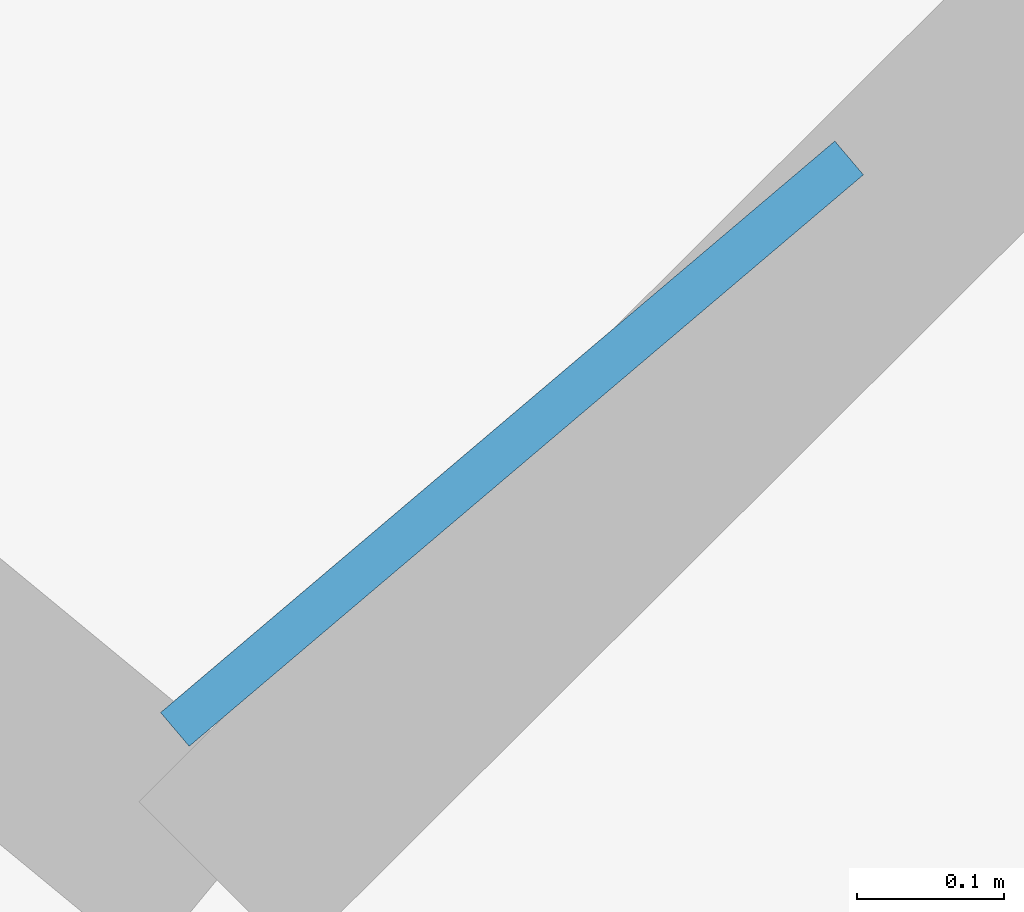
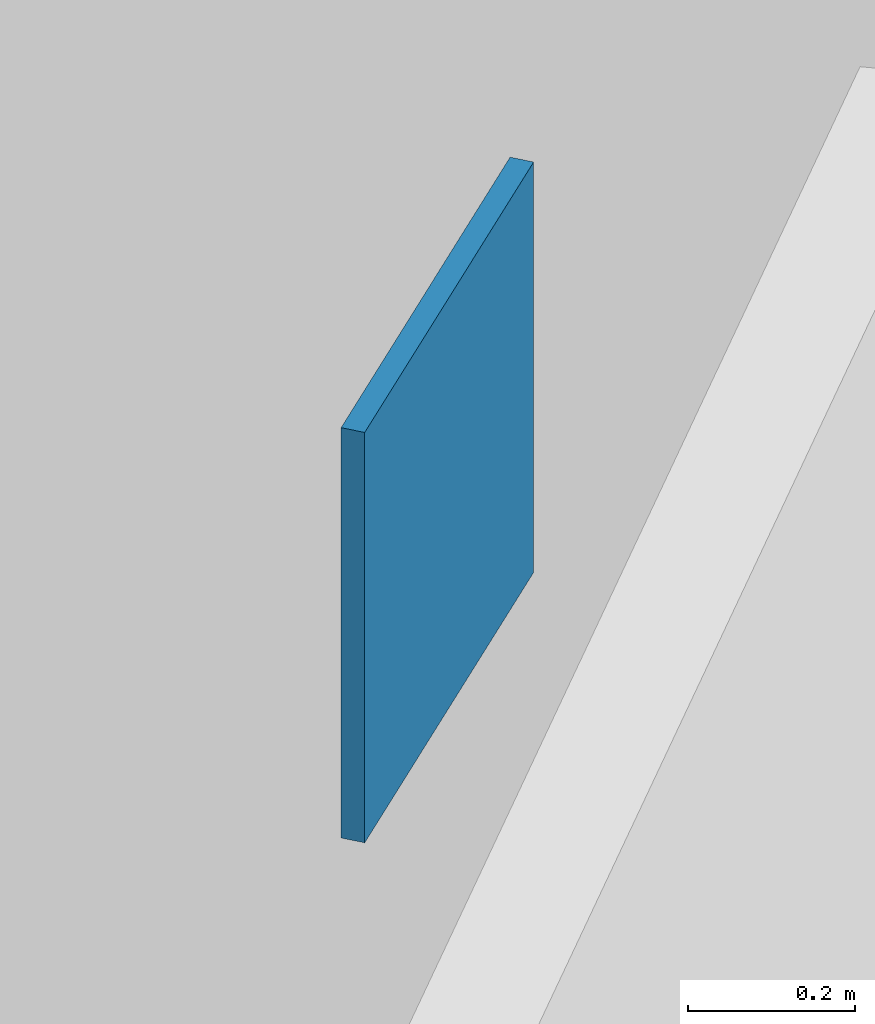
# One storey, part 20 of 24: 1 discrete accessory.
"""IFC4 building model written with IfcOpenShell, lengths in metres."""

import ifcopenshell
import ifcopenshell.guid

model = None  # the IFC model being written
_history = None  # IfcOwnerHistory: only IFC2X3 demands one
_inside = {}  # id of a spatial element -> (the spatial element, [elements in it])
_under = {}  # id of a project, library or spatial element -> (it, [spatial elements below it])
_declared = {}  # id of a project -> (the project, [libraries it declares])
_typed = {}  # id of a type object -> (the type object, [elements of that type])
_made_of = {}  # id of a material, layer set ... -> (it, [elements and type objects made of it])


def new_model(schema):
    """Start an empty IFC model of exactly this schema.

    Asked for "IFC4X3", IfcOpenShell would pick the latest addendum, in which some entities
    have other attributes; the version numbers below select the first issue.
    IFC2X3 requires an IfcOwnerHistory on every rooted entity: one is made here for all.
    """
    global model, _history
    if schema == "IFC4X3":
        model = ifcopenshell.file(schema_version=(4, 3, 0, 0))
    else:
        model = ifcopenshell.file(schema=schema)
    _inside.clear()
    _under.clear()
    _declared.clear()
    _typed.clear()
    _made_of.clear()
    _history = None
    if model.schema == "IFC2X3":
        org = make("IfcOrganization", Name="unknown")
        user = make(
            "IfcPersonAndOrganization",
            ThePerson=make("IfcPerson", FamilyName="unknown"),
            TheOrganization=org,
        )
        app = make(
            "IfcApplication",
            ApplicationDeveloper=org,
            Version="unknown",
            ApplicationFullName="unknown",
            ApplicationIdentifier="unknown",
        )
        _history = make(
            "IfcOwnerHistory",
            OwningUser=user,
            OwningApplication=app,
            ChangeAction="ADDED",
            CreationDate=0,
        )
    return model


def make(cls, **values):
    """One entity of the class cls with the attributes given. An attribute that is None is left unset."""
    return model.create_entity(
        cls, **{name: value for name, value in values.items() if value is not None}
    )


def rooted(cls, **values):
    """An entity with a GlobalId (a new one), such as an element, a storey or a relation."""
    return make(cls, GlobalId=ifcopenshell.guid.new(), OwnerHistory=_history, **values)


def si_unit(unit_type, name, prefix=None):
    """IfcSIUnit, for example si_unit("LENGTHUNIT", "METRE", prefix="MILLI")."""
    return make("IfcSIUnit", UnitType=unit_type, Prefix=prefix, Name=name)


def assignment(units):
    """IfcUnitAssignment: the units of a project."""
    return None if units is None else make("IfcUnitAssignment", Units=units)


def point(xyz):
    """IfcCartesianPoint."""
    return None if xyz is None else make("IfcCartesianPoint", Coordinates=xyz)


def direction(xyz):
    """IfcDirection."""
    return None if xyz is None else make("IfcDirection", DirectionRatios=xyz)


def frame(location, z_axis=None, x_axis=None):
    """IfcAxis2Placement3D, a coordinate frame: its origin and axes. An axis left out is left unset."""
    return make(
        "IfcAxis2Placement3D",
        Location=point(location),
        Axis=direction(z_axis),
        RefDirection=direction(x_axis),
    )


def frame_2d(location, x_axis=None):
    """IfcAxis2Placement2D, a coordinate frame in the plane: its origin and x axis."""
    return make(
        "IfcAxis2Placement2D", Location=point(location), RefDirection=direction(x_axis)
    )


def origin():
    """The frame at (0, 0, 0) with its axes left unset."""
    return frame((0.0, 0.0, 0.0))


def origin_2d():
    """The frame at (0, 0) in the plane with its x axis left unset."""
    return frame_2d((0.0, 0.0))


def place(relative_to, where):
    """IfcLocalPlacement: puts the frame where relative to a parent placement (None: the world)."""
    return make(
        "IfcLocalPlacement", PlacementRelTo=relative_to, RelativePlacement=where
    )


def context(
    kind, dimensions, precision=None, world=None, true_north=None, identifier=None
):
    """IfcGeometricRepresentationContext, for example the 3D "Model" context."""
    return make(
        "IfcGeometricRepresentationContext",
        ContextIdentifier=identifier,
        ContextType=kind,
        CoordinateSpaceDimension=dimensions,
        Precision=precision,
        WorldCoordinateSystem=world,
        TrueNorth=true_north,
    )


def subcontext(parent, identifier, kind, view, scale=None):
    """IfcGeometricRepresentationSubContext, for example "Body" below "Model"."""
    return make(
        "IfcGeometricRepresentationSubContext",
        ContextIdentifier=identifier,
        ContextType=kind,
        ParentContext=parent,
        TargetScale=scale,
        TargetView=view,
    )


def project(units=None, contexts=None):
    """IfcProject with its units and contexts."""
    return rooted(
        "IfcProject",
        Name="project",
        RepresentationContexts=contexts,
        UnitsInContext=assignment(units),
    )


def spatial(cls, under=None, at=None, **own):
    """A site, building, storey or space (cls), placed at a placement, below another one or the project."""
    s = rooted(cls, ObjectPlacement=at, **own)
    if under is not None:
        _under.setdefault(under.id(), (under, []))[1].append(s)
    return s


def profile(cls, at=None, kind="AREA", **sizes):
    """A parametric profile (cls). Its sizes go by their IFC names, for example OverallWidth=200.0."""
    return make(cls, ProfileType=kind, Position=at, **sizes)


def rectangle(**sizes):
    """IfcRectangleProfileDef."""
    return profile("IfcRectangleProfileDef", **sizes)


def extrude(swept, where, along, depth):
    """IfcExtrudedAreaSolid: the profile swept, set in the frame where, extruded along a direction by depth."""
    return make(
        "IfcExtrudedAreaSolid",
        SweptArea=swept,
        Position=where,
        ExtrudedDirection=direction(along),
        Depth=depth,
    )


def shape(context_of_items, identifier, shape_type, items):
    """IfcShapeRepresentation: the items that make up one representation, for example the "Body"."""
    return make(
        "IfcShapeRepresentation",
        ContextOfItems=context_of_items,
        RepresentationIdentifier=identifier,
        RepresentationType=shape_type,
        Items=items,
    )


def material(Name=None, Category=None):
    """IfcMaterial."""
    return make("IfcMaterial", Name=Name, Category=Category)


def made_of(thing, what):
    """Note that an element or type object is made of a material, layer set ...; save() writes the relation."""
    if what is not None:
        _made_of.setdefault(what.id(), (what, []))[1].append(thing)
    return thing


def type_object(cls, material=None, **own):
    """A type object (cls), such as IfcWallType, which elements share."""
    return made_of(rooted(cls, **own), material)


def element(
    cls,
    number,
    at=None,
    inside=None,
    cuts=None,
    type_object=None,
    material=None,
    context=None,
    identifier="Body",
    shape_type=None,
    held_by="IfcProductDefinitionShape",
    body=None,
    shapes=None,
    **own,
):
    """One element of the class cls, such as IfcWall. Its Tag is "e" and its number.

    at: its placement. inside: the storey or other place that contains it. cuts: it is an
    opening in that element (IfcRelVoidsElement). A single representation is given by context,
    identifier, shape_type and body (its items); several are given by shapes. held_by: the class
    of the entity that holds the representations. save() writes the other relations.
    """
    e = rooted(cls, Tag="e%d" % number, ObjectPlacement=at, **own)
    if body is not None:
        shapes = [shape(context, identifier, shape_type, body)]
    if shapes is not None:
        e.Representation = make(held_by, Representations=shapes)
    if inside is not None:
        _inside.setdefault(inside.id(), (inside, []))[1].append(e)
    if cuts is not None:
        rooted(
            "IfcRelVoidsElement", RelatingBuildingElement=cuts, RelatedOpeningElement=e
        )
    if type_object is not None:
        _typed.setdefault(type_object.id(), (type_object, []))[1].append(e)
    return made_of(e, material)


def aggregate(whole, parts):
    """IfcRelAggregates: a whole, such as a stair, and the parts it consists of."""
    return rooted("IfcRelAggregates", RelatingObject=whole, RelatedObjects=parts)


def save(model, path):
    """Write the relations noted so far, then the file.

    IfcRelAggregates (storeys below a building ...), IfcRelContainedInSpatialStructure (elements
    in a storey), IfcRelDefinesByType, IfcRelAssociatesMaterial and IfcRelDeclares: one each for
    every whole, place, type object, material and project.
    """
    for whole, parts in _under.values():
        aggregate(whole, parts)
    for where, things in _inside.values():
        rooted(
            "IfcRelContainedInSpatialStructure",
            RelatedElements=things,
            RelatingStructure=where,
        )
    for kind, things in _typed.values():
        rooted("IfcRelDefinesByType", RelatedObjects=things, RelatingType=kind)
    for what, things in _made_of.values():
        rooted("IfcRelAssociatesMaterial", RelatedObjects=things, RelatingMaterial=what)
    for by, libraries in _declared.values():
        rooted("IfcRelDeclares", RelatingContext=by, RelatedDefinitions=libraries)
    model.write(path)


model = new_model("IFC4")

# Units and contexts
model_context = context("Model", 3, precision=1e-05, world=origin(), true_north=direction((0.0, 1.0)))
body_context = subcontext(model_context, "Body", "Model", "MODEL_VIEW")
ifc_project = project(units=[si_unit("LENGTHUNIT", "METRE"), si_unit("AREAUNIT", "SQUARE_METRE"), si_unit("VOLUMEUNIT", "CUBIC_METRE"), si_unit("PLANEANGLEUNIT", "RADIAN"), si_unit("MASSUNIT", "GRAM", prefix="KILO")], contexts=[model_context])

# Site, building, storey
site_placement = place(None, origin())
site = spatial("IfcSite", under=ifc_project, at=site_placement, CompositionType="ELEMENT")
building_placement = place(site_placement, origin())
building = spatial("IfcBuilding", under=site, at=building_placement, Name="Tuul Gate Civic Tower", CompositionType="ELEMENT")
storey_placement = place(building_placement, frame((0.0, 0.0, 21.89990234375)))
storey = spatial("IfcBuildingStorey", under=building, at=storey_placement, Name="Level 04", CompositionType="ELEMENT", Elevation=21.89990234375)

# Discrete accessory
ifc_material = material(Name="Steel S355", Category="steel")
discrete_accessory_type = type_object("IfcDiscreteAccessoryType", Name="Gusset plate", PredefinedType="BRACKET", material=ifc_material)
discrete_accessory_placement = place(storey_placement, frame((56.372314453125, -12.217041015625, 3.396728515625), z_axis=(0.0, 0.0, 1.0), x_axis=(0.762835003285, 0.646593193409, 0.0)))
element("IfcDiscreteAccessory", 1, at=discrete_accessory_placement, inside=storey, type_object=discrete_accessory_type, Name="Gusset plate", PredefinedType="BRACKET", context=body_context, shape_type="SweptSolid", body=[
    extrude(rectangle(XDim=0.60009765625, YDim=0.030029296875, at=origin_2d()), origin(), (0.0, 0.0, 1.0), 0.60009765625),
])

save(model, "model.ifc")
